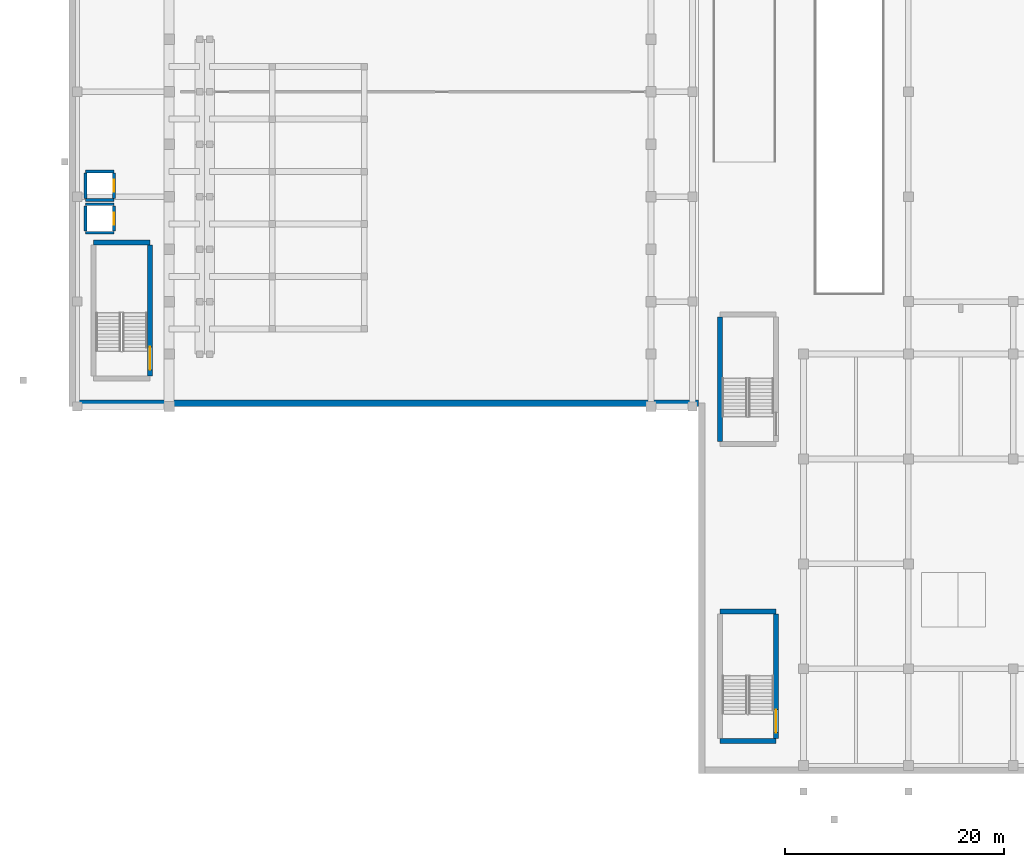
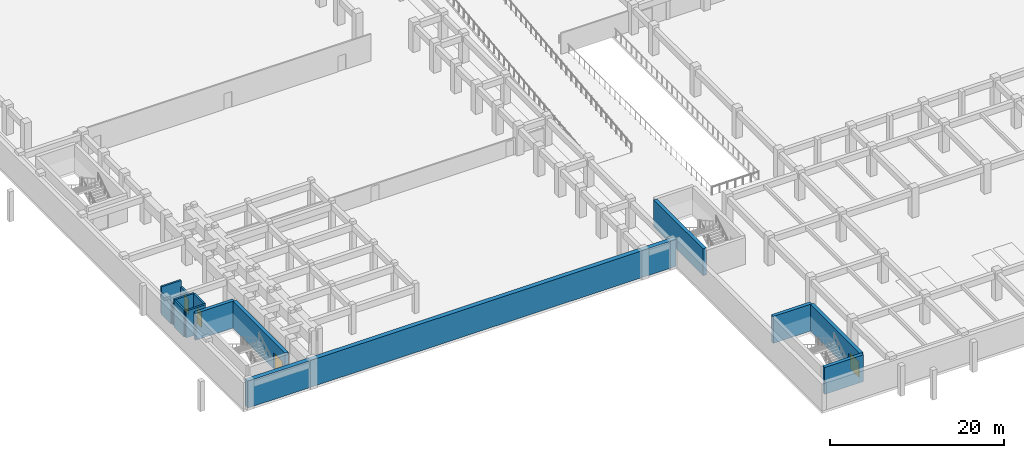
# One storey, part 10 of 39: 15 walls, 4 doors, 4 openings.
"""IFC4 building model written with IfcOpenShell, lengths in metres."""

from ifc_helpers import new_model, si_unit, direction, frame, frame_2d, origin, place, context, subcontext, project, spatial, rectangle, extrude, material, layer, layer_set, type_object, element, fill, save


model = new_model("IFC4")

# Units and contexts
model_context = context("Model", 3, precision=1e-05, world=origin(), true_north=direction((0.0, 1.0)))
body_context = subcontext(model_context, "Body", "Model", "MODEL_VIEW")
ifc_project = project(units=[si_unit("LENGTHUNIT", "METRE"), si_unit("AREAUNIT", "SQUARE_METRE"), si_unit("VOLUMEUNIT", "CUBIC_METRE"), si_unit("PLANEANGLEUNIT", "RADIAN"), si_unit("MASSUNIT", "GRAM", prefix="KILO")], contexts=[model_context])

# Site, building, storey
site_placement = place(None, origin())
site = spatial("IfcSite", under=ifc_project, at=site_placement, CompositionType="ELEMENT")
building_placement = place(site_placement, origin())
building = spatial("IfcBuilding", under=site, at=building_placement, Name="Nakhvara Creek Congress Hotel", CompositionType="ELEMENT")
storey_placement = place(building_placement, frame((0.0, 0.0, -4.199951171875)))
storey = spatial("IfcBuildingStorey", under=building, at=storey_placement, Name="B1", CompositionType="ELEMENT", Elevation=-4.199951171875)

# Wall
ifc_material_1 = material(Name="Concrete C50/60", Category="concrete")
ifc_layer_1 = layer(ifc_material_1, 0.449951171875)
ifc_layer_set_1 = layer_set([ifc_layer_1], Name="Concrete C50/60")
wall_type_1 = type_object("IfcWallType", Name="W-CORE-450", PredefinedType="SHEAR", material=ifc_layer_set_1)
wall_1_placement = place(storey_placement, frame((2.22998046875, 48.6201171875, 0.0), z_axis=(0.0, 0.0, 1.0), x_axis=(1.0, 0.0, 0.0)))
element("IfcWall", 1, at=wall_1_placement, inside=storey, type_object=wall_type_1, Name="Core Shear Wall WS02-CWALL-B1-0722", PredefinedType="SHEAR", context=body_context, shape_type="SweptSolid", body=[
    extrude(rectangle(XDim=5.14990234375, YDim=0.449951171875, at=frame_2d((2.574951171875, 0.0))), origin(), (0.0, 0.0, 1.0), 3.780029296875),
])

# Wall, opening, door
wall_2_placement = place(storey_placement, frame((7.3798828125, 36.39990234375, 0.0), z_axis=(0.0, 0.0, 1.0), x_axis=(0.0, 1.0, 0.0)))
wall_2 = element("IfcWall", 2, at=wall_2_placement, inside=storey, type_object=wall_type_1, Name="Core Shear Wall WS02-CWALL-B1-0724", PredefinedType="SHEAR", context=body_context, shape_type="SweptSolid", body=[
    extrude(rectangle(XDim=12.0, YDim=0.449951171875, at=frame_2d((6.0, 0.0))), origin(), (0.0, 0.0, 1.0), 3.780029296875),
])
opening_1_placement = place(wall_2_placement, frame((0.550048828125, 0.0, 0.0)))
opening_1 = element("IfcOpeningElement", 3, at=opening_1_placement, cuts=wall_2, Name="Opening FD19", PredefinedType="OPENING", context=body_context, shape_type="SweptSolid", body=[
    extrude(rectangle(XDim=2.10009765625, YDim=2.199951171875, at=frame_2d((1.050048828125, 1.10009765625))), frame((0.0, 0.23681640625, 0.0), z_axis=(0.0, -1.0, 0.0), x_axis=(1.0, 0.0, 0.0)), (0.0, 0.0, 1.0), 0.473876953125),
])
ifc_material_2 = material(Name="Galvanised steel acoustic fire door", Category="steel")
door_type_1 = type_object("IfcDoorType", Name="DT-STAIR-220", OperationType="DOUBLE_DOOR_SINGLE_SWING", PredefinedType="DOOR", material=ifc_material_2)
door_1_placement = place(opening_1_placement, frame((2.10009765625, 0.0, 0.0), z_axis=(0.0, 0.0, 1.0), x_axis=(-1.0, 0.0, 0.0)))
door_1 = element("IfcDoor", 4, at=door_1_placement, inside=storey, type_object=door_type_1, Name="Stair Exit Door ST05-B1", OperationType="DOUBLE_DOOR_SINGLE_SWING", OverallHeight=2.199951171875, OverallWidth=2.10009765625, PredefinedType="DOOR", context=body_context, shape_type="SweptSolid", body=[
    extrude(rectangle(XDim=2.10009765625, YDim=2.199951171875, at=frame_2d((1.050048828125, 1.10009765625))), frame((0.0, 0.02490234375, 0.0), z_axis=(0.0, -1.0, 0.0), x_axis=(1.0, 0.0, 0.0)), (0.0, 0.0, 1.0), 0.050048828125),
])
fill(opening_1, door_1)

# Walls
for number, where, z_axis, x_axis, name in (
    (5, (59.550048828125, 2.97998046875, 0.0), (0.0, 0.0, 1.0), (1.0, 0.0, 0.0), "Core Shear Wall WS02-CWALL-B1-0939"),
    (6, (59.550048828125, 14.820068359375, 0.0), (0.0, 0.0, 1.0), (1.0, 0.0, 0.0), "Core Shear Wall WS02-CWALL-B1-0940"),
):
    element("IfcWall", number, at=place(storey_placement, frame(where, z_axis=z_axis, x_axis=x_axis)), inside=storey, type_object=wall_type_1, Name=name, PredefinedType="SHEAR", context=body_context, shape_type="SweptSolid", body=[
        extrude(rectangle(XDim=5.14990234375, YDim=0.449951171875, at=frame_2d((2.574951171875, 0.0))), origin(), (0.0, 0.0, 1.0), 3.780029296875),
    ])

# Wall, opening, door
wall_3_placement = place(storey_placement, frame((64.699951171875, 3.199951171875, 0.0), z_axis=(0.0, 0.0, 1.0), x_axis=(0.0, 1.0, 0.0)))
wall_3 = element("IfcWall", 7, at=wall_3_placement, inside=storey, type_object=wall_type_1, Name="Core Shear Wall WS02-CWALL-B1-0942", PredefinedType="SHEAR", context=body_context, shape_type="SweptSolid", body=[
    extrude(rectangle(XDim=11.400146484375, YDim=0.449951171875, at=frame_2d((5.7001953125, 0.0))), origin(), (0.0, 0.0, 1.0), 3.780029296875),
])
opening_2_placement = place(wall_3_placement, frame((0.550048828125, 0.0, 0.0)))
opening_2 = element("IfcOpeningElement", 8, at=opening_2_placement, cuts=wall_3, Name="Opening FD19", PredefinedType="OPENING", context=body_context, shape_type="SweptSolid", body=[
    extrude(rectangle(XDim=2.10009765625, YDim=2.199951171875, at=frame_2d((1.050048828125, 1.10009765625))), frame((0.0, 0.23681640625, 0.0), z_axis=(0.0, -1.0, 0.0), x_axis=(1.0, 0.0, 0.0)), (0.0, 0.0, 1.0), 0.473876953125),
])
door_2_placement = place(opening_2_placement, frame((2.10009765625, 0.0, 0.0), z_axis=(0.0, 0.0, 1.0), x_axis=(-1.0, 0.0, 0.0)))
door_2 = element("IfcDoor", 9, at=door_2_placement, inside=storey, type_object=door_type_1, Name="Stair Exit Door ST11-B1", OperationType="DOUBLE_DOOR_SINGLE_SWING", OverallHeight=2.199951171875, OverallWidth=2.10009765625, PredefinedType="DOOR", context=body_context, shape_type="SweptSolid", body=[
    extrude(rectangle(XDim=2.10009765625, YDim=2.199951171875, at=frame_2d((1.050048828125, 1.10009765625))), frame((0.0, 0.02490234375, 0.0), z_axis=(0.0, -1.0, 0.0), x_axis=(1.0, 0.0, 0.0)), (0.0, 0.0, 1.0), 0.050048828125),
])
fill(opening_2, door_2)

# Walls
wall_4_placement = place(storey_placement, frame((59.550048828125, 30.39990234375, 0.0), z_axis=(0.0, 0.0, 1.0), x_axis=(0.0, 1.0, 0.0)))
element("IfcWall", 10, at=wall_4_placement, inside=storey, type_object=wall_type_1, Name="Core Shear Wall WS02-CWALL-B1-0985", PredefinedType="SHEAR", context=body_context, shape_type="SweptSolid", body=[
    extrude(rectangle(XDim=11.400146484375, YDim=0.449951171875, at=frame_2d((5.7001953125, 0.0))), origin(), (0.0, 0.0, 1.0), 3.780029296875),
])
ifc_material_3 = material(Name="Concrete C40/50", Category="concrete")
ifc_layer_2 = layer(ifc_material_3, 0.60009765625)
ifc_layer_set_2 = layer_set([ifc_layer_2], Name="Concrete C40/50")
wall_type_2 = type_object("IfcWallType", Name="W-RET-600", PredefinedType="USERDEFINED", material=ifc_layer_set_2)
wall_5_placement = place(storey_placement, frame((57.60009765625, 33.89990234375, 0.0), z_axis=(0.0, 0.0, 1.0), x_axis=(-1.0, 0.0, 0.0)))
element("IfcWall", 11, at=wall_5_placement, inside=storey, type_object=wall_type_2, Name="Exterior Wall WR01-EW-B1-0020", ObjectType="RETAININGWALL", PredefinedType="USERDEFINED", context=body_context, shape_type="SweptSolid", body=[
    extrude(rectangle(XDim=57.0, YDim=0.60009765625, at=frame_2d((28.5, 0.0))), origin(), (0.0, 0.0, 1.0), 3.780029296875),
])
ifc_layer_3 = layer(ifc_material_3, 0.25)
ifc_layer_set_3 = layer_set([ifc_layer_3], Name="Concrete C40/50")
wall_type_3 = type_object("IfcWallType", Name="W-SHAFT-250", PredefinedType="SOLIDWALL", material=ifc_layer_set_3)
for number, where, z_axis, x_axis, name in (
    (12, (1.489990234375, 49.489990234375, 0.0), (0.0, 0.0, 1.0), (1.0, 0.0, 0.0), "Core Shear Wall WI02-CWALL-B1-0725"),
    (13, (1.489990234375, 52.110107421875, 0.0), (0.0, 0.0, 1.0), (1.0, 0.0, 0.0), "Core Shear Wall WI02-CWALL-B1-0726"),
):
    element("IfcWall", number, at=place(storey_placement, frame(where, z_axis=z_axis, x_axis=x_axis)), inside=storey, type_object=wall_type_3, Name=name, PredefinedType="SOLIDWALL", context=body_context, shape_type="SweptSolid", body=[
        extrude(rectangle(XDim=2.6201171875, YDim=0.25, at=frame_2d((1.31005859375, 0.0))), origin(), (0.0, 0.0, 1.0), 3.780029296875),
    ])
wall_6_placement = place(storey_placement, frame((1.489990234375, 49.64990234375, 0.0), z_axis=(0.0, 0.0, 1.0), x_axis=(0.0, 1.0, 0.0)))
element("IfcWall", 14, at=wall_6_placement, inside=storey, type_object=wall_type_3, Name="Core Shear Wall WI02-CWALL-B1-0727", PredefinedType="SOLIDWALL", context=body_context, shape_type="SweptSolid", body=[
    extrude(rectangle(XDim=2.300048828125, YDim=0.25, at=frame_2d((1.14990234375, 0.0))), origin(), (0.0, 0.0, 1.0), 3.780029296875),
])

# Wall, opening, door
wall_7_placement = place(storey_placement, frame((4.110107421875, 49.64990234375, 0.0), z_axis=(0.0, 0.0, 1.0), x_axis=(0.0, 1.0, 0.0)))
wall_7 = element("IfcWall", 15, at=wall_7_placement, inside=storey, type_object=wall_type_3, Name="Core Shear Wall WI02-CWALL-B1-0728", PredefinedType="SOLIDWALL", context=body_context, shape_type="SweptSolid", body=[
    extrude(rectangle(XDim=2.300048828125, YDim=0.25, at=frame_2d((1.14990234375, 0.0))), origin(), (0.0, 0.0, 1.0), 3.780029296875),
])
opening_3_placement = place(wall_7_placement, frame((0.60009765625, 0.0, 0.0)))
opening_3 = element("IfcOpeningElement", 16, at=opening_3_placement, cuts=wall_7, Name="Opening LD01", PredefinedType="OPENING", context=body_context, shape_type="SweptSolid", body=[
    extrude(rectangle(XDim=1.10009765625, YDim=2.199951171875, at=frame_2d((0.550048828125, 1.10009765625))), frame((0.0, 0.136962890625, 0.0), z_axis=(0.0, -1.0, 0.0), x_axis=(1.0, 0.0, 0.0)), (0.0, 0.0, 1.0), 0.27392578125),
])
ifc_material_4 = material(Name="Brushed stainless steel sliding landing door", Category="steel")
door_type_2 = type_object("IfcDoorType", Name="DT-LIFT-110", OperationType="DOUBLE_DOOR_SLIDING", PredefinedType="DOOR", material=ifc_material_4)
door_3_placement = place(opening_3_placement, origin())
door_3 = element("IfcDoor", 17, at=door_3_placement, inside=storey, type_object=door_type_2, Name="Landing Door CL01-B1", OperationType="SLIDING_TO_LEFT", OverallHeight=2.199951171875, OverallWidth=1.10009765625, PredefinedType="DOOR", context=body_context, shape_type="SweptSolid", body=[
    extrude(rectangle(XDim=1.10009765625, YDim=2.199951171875, at=frame_2d((0.550048828125, 1.10009765625))), frame((0.0, 0.02490234375, 0.0), z_axis=(0.0, -1.0, 0.0), x_axis=(1.0, 0.0, 0.0)), (0.0, 0.0, 1.0), 0.050048828125),
])
fill(opening_3, door_3)

# Walls
wall_8_placement = place(storey_placement, frame((1.489990234375, 52.489990234375, 0.0), z_axis=(0.0, 0.0, 1.0), x_axis=(1.0, 0.0, 0.0)))
element("IfcWall", 18, at=wall_8_placement, inside=storey, type_object=wall_type_3, Name="Core Shear Wall WI02-CWALL-B1-0729", PredefinedType="SOLIDWALL", context=body_context, shape_type="SweptSolid", body=[
    extrude(rectangle(XDim=2.6201171875, YDim=0.25, at=frame_2d((1.31005859375, 0.0))), origin(), (0.0, 0.0, 1.0), 2.931884765625),
])
wall_9_placement = place(storey_placement, frame((1.489990234375, 55.110107421875, 0.0), z_axis=(0.0, 0.0, 1.0), x_axis=(1.0, 0.0, 0.0)))
element("IfcWall", 19, at=wall_9_placement, inside=storey, type_object=wall_type_3, Name="Core Shear Wall WI02-CWALL-B1-0730", PredefinedType="SOLIDWALL", context=body_context, shape_type="SweptSolid", body=[
    extrude(rectangle(XDim=2.6201171875, YDim=0.25, at=frame_2d((1.31005859375, 0.0))), origin(), (0.0, 0.0, 1.0), 3.780029296875),
])
wall_10_placement = place(storey_placement, frame((1.489990234375, 52.64990234375, 0.0), z_axis=(0.0, 0.0, 1.0), x_axis=(0.0, 1.0, 0.0)))
element("IfcWall", 20, at=wall_10_placement, inside=storey, type_object=wall_type_3, Name="Core Shear Wall WI02-CWALL-B1-0731", PredefinedType="SOLIDWALL", context=body_context, shape_type="SweptSolid", body=[
    extrude(rectangle(XDim=2.300048828125, YDim=0.25, at=frame_2d((1.14990234375, 0.0))), origin(), (0.0, 0.0, 1.0), 2.931884765625),
])

# Wall, opening, door
wall_11_placement = place(storey_placement, frame((4.110107421875, 52.64990234375, 0.0), z_axis=(0.0, 0.0, 1.0), x_axis=(0.0, 1.0, 0.0)))
wall_11 = element("IfcWall", 21, at=wall_11_placement, inside=storey, type_object=wall_type_3, Name="Core Shear Wall WI02-CWALL-B1-0732", PredefinedType="SOLIDWALL", context=body_context, shape_type="SweptSolid", body=[
    extrude(rectangle(XDim=2.300048828125, YDim=0.25, at=frame_2d((1.14990234375, 0.0))), origin(), (0.0, 0.0, 1.0), 2.931884765625),
])
opening_4_placement = place(wall_11_placement, frame((0.60009765625, 0.0, 0.0)))
opening_4 = element("IfcOpeningElement", 22, at=opening_4_placement, cuts=wall_11, Name="Opening LD01", PredefinedType="OPENING", context=body_context, shape_type="SweptSolid", body=[
    extrude(rectangle(XDim=1.10009765625, YDim=2.199951171875, at=frame_2d((0.550048828125, 1.10009765625))), frame((0.0, 0.136962890625, 0.0), z_axis=(0.0, -1.0, 0.0), x_axis=(1.0, 0.0, 0.0)), (0.0, 0.0, 1.0), 0.27392578125),
])
door_4_placement = place(opening_4_placement, origin())
door_4 = element("IfcDoor", 23, at=door_4_placement, inside=storey, type_object=door_type_2, Name="Landing Door CL02-B1", OperationType="SLIDING_TO_LEFT", OverallHeight=2.199951171875, OverallWidth=1.10009765625, PredefinedType="DOOR", context=body_context, shape_type="SweptSolid", body=[
    extrude(rectangle(XDim=1.10009765625, YDim=2.199951171875, at=frame_2d((0.550048828125, 1.10009765625))), frame((0.0, 0.02490234375, 0.0), z_axis=(0.0, -1.0, 0.0), x_axis=(1.0, 0.0, 0.0)), (0.0, 0.0, 1.0), 0.050048828125),
])
fill(opening_4, door_4)

save(model, "model.ifc")
